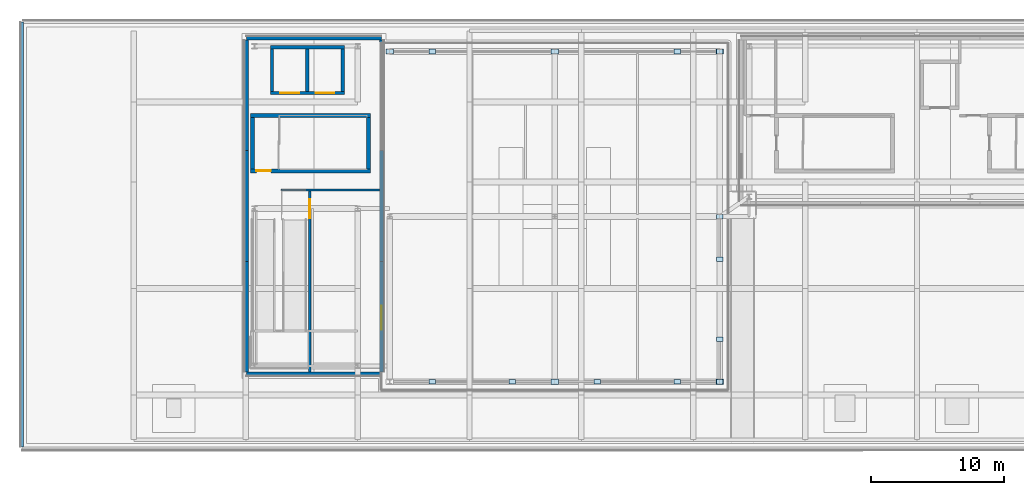
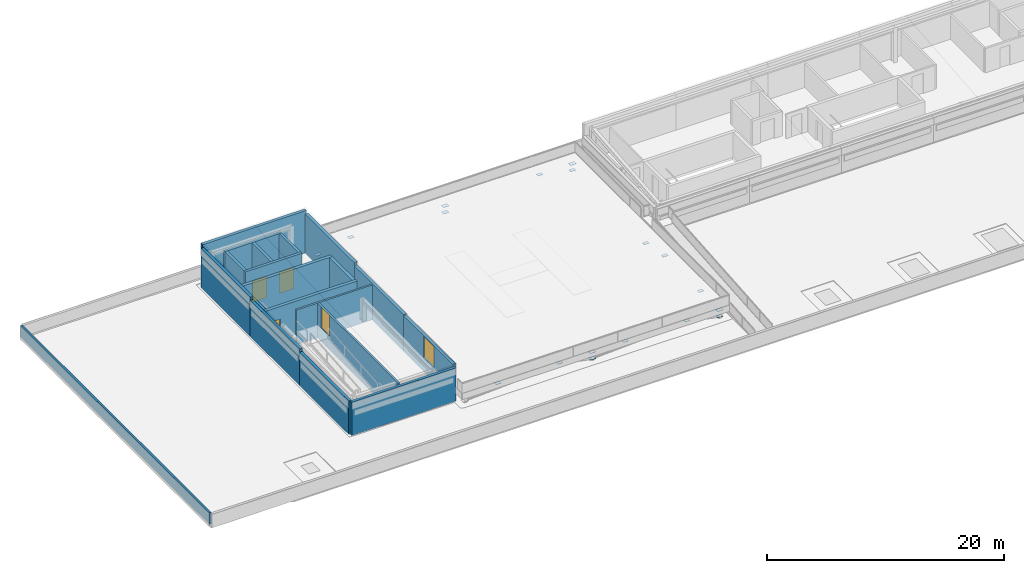
# One storey, part 6 of 14: 20 walls, 18 plates, 5 doors, 5 openings.
"""IFC4 building model written with IfcOpenShell, lengths in metres."""

from ifc_helpers import new_model, si_unit, direction, frame, frame_2d, origin, origin_2d, place, context, subcontext, project, spatial, rectangle, extrude, material, layer, layer_set, type_object, element, fill, save


model = new_model("IFC4")

# Units and contexts
model_context = context("Model", 3, precision=1e-05, world=origin(), true_north=direction((0.0, 1.0)))
body_context = subcontext(model_context, "Body", "Model", "MODEL_VIEW")
ifc_project = project(units=[si_unit("LENGTHUNIT", "METRE"), si_unit("AREAUNIT", "SQUARE_METRE"), si_unit("VOLUMEUNIT", "CUBIC_METRE"), si_unit("PLANEANGLEUNIT", "RADIAN"), si_unit("MASSUNIT", "GRAM", prefix="KILO")], contexts=[model_context])

# Site, building, storey
site_placement = place(None, origin())
site = spatial("IfcSite", under=ifc_project, at=site_placement, CompositionType="ELEMENT")
building_placement = place(site_placement, origin())
building = spatial("IfcBuilding", under=site, at=building_placement, Name="Selatvlak General Hospital", CompositionType="ELEMENT")
storey_placement = place(building_placement, frame((0.0, 0.0, 39.449951171875)))
storey = spatial("IfcBuildingStorey", under=building, at=storey_placement, Name="RF", CompositionType="ELEMENT", Elevation=39.449951171875)

# Plates
ifc_material_1 = material(Name="Steel S355", Category="steel")
ifc_layer_1 = layer(ifc_material_1, 0.02392578125, Name="Steel S355", Category="steel")
ifc_layer_set_1 = layer_set([ifc_layer_1], Name="Steel S355")
plate_type_1 = type_object("IfcPlateType", Name="PLT-GP-02", PredefinedType="USERDEFINED", material=ifc_layer_set_1)
for number, where, z_axis, x_axis, name in (
    (1, (71.199951171875, 93.0, 0.822998046875), (0.0, 0.0, 1.0), (1.0, 0.0, 0.0), "Helipad brace node gusset plate 103"),
    (2, (58.800048828125, 117.800048828125, 0.158203125), (0.0, 0.0, 1.0), (1.0, 0.0, 0.0), "Helipad brace node gusset plate 104"),
    (3, (71.199951171875, 117.800048828125, 0.822998046875), (0.0, 0.0, 1.0), (1.0, 0.0, 0.0), "Helipad brace node gusset plate 105"),
    (4, (71.199951171875, 93.0, 0.158203125), (0.0, 0.0, 1.0), (1.0, 0.0, 0.0), "Helipad brace node gusset plate 106"),
    (5, (83.60009765625, 93.0, 0.822998046875), (0.0, 0.0, 1.0), (1.0, 0.0, 0.0), "Helipad brace node gusset plate 107"),
    (6, (71.199951171875, 117.800048828125, 0.158203125), (0.0, 0.0, 1.0), (1.0, 0.0, 0.0), "Helipad brace node gusset plate 108"),
    (7, (83.60009765625, 117.800048828125, 0.822998046875), (0.0, 0.0, 1.0), (1.0, 0.0, 0.0), "Helipad brace node gusset plate 109"),
):
    element("IfcPlate", number, at=place(storey_placement, frame(where, z_axis=z_axis, x_axis=x_axis)), inside=storey, type_object=plate_type_1, Name=name, ObjectType="GUSSET_PLATE", PredefinedType="USERDEFINED", context=body_context, shape_type="SweptSolid", body=[
        extrude(rectangle(XDim=0.550048828125, YDim=0.39990234375, at=origin_2d()), origin(), (0.0, 0.0, 1.0), 0.02392578125),
    ])
ifc_layer_2 = layer(ifc_material_1, 0.01806640625, Name="Steel S355", Category="steel")
ifc_layer_set_2 = layer_set([ifc_layer_2], Name="Steel S355")
plate_type_2 = type_object("IfcPlateType", Name="PLT-GP-04", PredefinedType="USERDEFINED", material=ifc_layer_set_2)
for number, where, z_axis, x_axis, name in (
    (8, (62.0, 93.0, 0.825927734375), (0.0, 0.0, 1.0), (1.0, 0.0, 0.0), "Helipad strut node gusset plate 110"),
    (9, (68.0, 93.0, 0.825927734375), (0.0, 0.0, 1.0), (1.0, 0.0, 0.0), "Helipad strut node gusset plate 111"),
    (10, (74.39990234375, 93.0, 0.825927734375), (0.0, 0.0, 1.0), (1.0, 0.0, 0.0), "Helipad strut node gusset plate 112"),
    (11, (83.60009765625, 93.0, 0.1611328125), (0.0, 0.0, 1.0), (1.0, 0.0, 0.0), "Helipad strut node gusset plate 113"),
    (12, (80.39990234375, 93.0, 0.825927734375), (0.0, 0.0, 1.0), (1.0, 0.0, 0.0), "Helipad strut node gusset plate 114"),
    (13, (83.60009765625, 105.39990234375, 0.1611328125), (0.0, 0.0, 1.0), (1.0, 0.0, 0.0), "Helipad strut node gusset plate 115"),
    (14, (83.60009765625, 102.199951171875, 0.825927734375), (0.0, 0.0, 1.0), (1.0, 0.0, 0.0), "Helipad strut node gusset plate 116"),
    (15, (83.60009765625, 96.199951171875, 0.825927734375), (0.0, 0.0, 1.0), (1.0, 0.0, 0.0), "Helipad strut node gusset plate 117"),
    (16, (62.0, 117.800048828125, 0.825927734375), (0.0, 0.0, 1.0), (1.0, 0.0, 0.0), "Helipad strut node gusset plate 118"),
    (17, (83.60009765625, 117.800048828125, 0.1611328125), (0.0, 0.0, 1.0), (1.0, 0.0, 0.0), "Helipad strut node gusset plate 119"),
    (18, (80.39990234375, 117.800048828125, 0.825927734375), (0.0, 0.0, 1.0), (1.0, 0.0, 0.0), "Helipad strut node gusset plate 120"),
):
    element("IfcPlate", number, at=place(storey_placement, frame(where, z_axis=z_axis, x_axis=x_axis)), inside=storey, type_object=plate_type_2, Name=name, ObjectType="GUSSET_PLATE", PredefinedType="USERDEFINED", context=body_context, shape_type="SweptSolid", body=[
        extrude(rectangle(XDim=0.5, YDim=0.35009765625, at=origin_2d()), origin(), (0.0, 0.0, 1.0), 0.01806640625),
    ])

# Wall
ifc_material_2 = material(Name="Precast concrete C40/50 - white Bauhaus spandrel", Category="concrete")
ifc_layer_3 = layer(ifc_material_2, 0.280029296875, Name="Precast concrete C40/50 - white Bauhaus spandrel", Category="concrete")
ifc_layer_set_3 = layer_set([ifc_layer_3], Name="Precast concrete C40/50 - white Bauhaus spandrel")
wall_type_1 = type_object("IfcWallType", Name="WALL-EW-02", PredefinedType="SOLIDWALL", material=ifc_layer_set_3)
wall_1_placement = place(storey_placement, frame((48.050048828125, 93.60009765625, 0.0), z_axis=(0.0, 0.0, 1.0), x_axis=(1.0, 0.0, 0.0)))
element("IfcWall", 19, at=wall_1_placement, inside=storey, type_object=wall_type_1, Name="RF penthouse PENT-W wall S1", PredefinedType="SOLIDWALL", context=body_context, shape_type="SweptSolid", body=[
    extrude(rectangle(XDim=10.139892578125, YDim=0.280029296875, at=frame_2d((5.06982421875, 0.0))), origin(), (0.0, 0.0, 1.0), 3.43994140625),
])

# Wall, opening, door
wall_2_placement = place(storey_placement, frame((58.18994140625, 93.741943359375, 0.0), z_axis=(0.0, 0.0, 1.0), x_axis=(0.0, 1.0, 0.0)))
wall_2 = element("IfcWall", 20, at=wall_2_placement, inside=storey, type_object=wall_type_1, Name="RF penthouse PENT-W wall E1", PredefinedType="SOLIDWALL", context=body_context, shape_type="SweptSolid", body=[
    extrude(rectangle(XDim=8.30517578125, YDim=0.280029296875, at=frame_2d((4.152587890625, 0.0))), origin(), (0.0, 0.0, 1.0), 3.670166015625),
])
opening_1_placement = place(wall_2_placement, frame((4.9580078125, 0.0, 1.39990234375), z_axis=(0.0, 0.0, 1.0), x_axis=(-1.0, 0.0, 0.0)))
opening_1 = element("IfcOpeningElement", 21, at=opening_1_placement, cuts=wall_2, Name="Opening DE-04", PredefinedType="OPENING", context=body_context, shape_type="SweptSolid", body=[
    extrude(rectangle(XDim=1.800048828125, YDim=2.199951171875, at=frame_2d((0.89990234375, 1.10009765625))), frame((0.0, 0.14990234375, 0.0), z_axis=(0.0, -1.0, 0.0), x_axis=(1.0, 0.0, 0.0)), (0.0, 0.0, 1.0), 0.300048828125),
])
ifc_material_3 = material(Name="Anodised aluminium terrace double door", Category="aluminium")
door_type_1 = type_object("IfcDoorType", Name="DOOR-DE-04", OperationType="DOUBLE_DOOR_SINGLE_SWING", PredefinedType="DOOR", material=ifc_material_3)
door_1_placement = place(opening_1_placement, origin())
door_1 = element("IfcDoor", 22, at=door_1_placement, inside=storey, type_object=door_type_1, Name="Emergency helipad trauma access west double door", OperationType="DOUBLE_DOOR_SINGLE_SWING", OverallHeight=2.199951171875, OverallWidth=1.800048828125, PredefinedType="DOOR", context=body_context, shape_type="SweptSolid", body=[
    extrude(rectangle(XDim=1.800048828125, YDim=2.199951171875, at=frame_2d((0.89990234375, 1.10009765625))), frame((0.0, 0.02490234375, 0.0), z_axis=(0.0, -1.0, 0.0), x_axis=(1.0, 0.0, 0.0)), (0.0, 0.0, 1.0), 0.050048828125),
])
fill(opening_1, door_1)

# Walls
wall_3_placement = place(storey_placement, frame((58.18994140625, 102.047119140625, 0.0), z_axis=(0.0, 0.0, 1.0), x_axis=(0.0, 1.0, 0.0)))
element("IfcWall", 23, at=wall_3_placement, inside=storey, type_object=wall_type_1, Name="RF penthouse PENT-W wall E2", PredefinedType="SOLIDWALL", context=body_context, shape_type="SweptSolid", body=[
    extrude(rectangle(XDim=8.305908203125, YDim=0.280029296875, at=frame_2d((4.15283203125, 0.0))), origin(), (0.0, 0.0, 1.0), 3.762939453125),
])
wall_4_placement = place(storey_placement, frame((58.18994140625, 110.35302734375, 0.0), z_axis=(0.0, 0.0, 1.0), x_axis=(0.0, 1.0, 0.0)))
element("IfcWall", 24, at=wall_4_placement, inside=storey, type_object=wall_type_1, Name="RF penthouse PENT-W wall E3", PredefinedType="SOLIDWALL", context=body_context, shape_type="SweptSolid", body=[
    extrude(rectangle(XDim=8.304931640625, YDim=0.280029296875, at=frame_2d((4.15234375, 0.0))), origin(), (0.0, 0.0, 1.0), 4.0771484375),
])
wall_5_placement = place(storey_placement, frame((58.18994140625, 118.800048828125, 0.0), z_axis=(0.0, 0.0, 1.0), x_axis=(-1.0, 0.0, 0.0)))
element("IfcWall", 25, at=wall_5_placement, inside=storey, type_object=wall_type_1, Name="RF penthouse PENT-W wall N1", PredefinedType="SOLIDWALL", context=body_context, shape_type="SweptSolid", body=[
    extrude(rectangle(XDim=10.139892578125, YDim=0.280029296875, at=frame_2d((5.06982421875, 0.0))), origin(), (0.0, 0.0, 1.0), 4.39013671875),
])
wall_6_placement = place(storey_placement, frame((48.050048828125, 118.657958984375, 0.0), z_axis=(0.0, 0.0, 1.0), x_axis=(0.0, -1.0, 0.0)))
element("IfcWall", 26, at=wall_6_placement, inside=storey, type_object=wall_type_1, Name="RF penthouse PENT-W wall W1", PredefinedType="SOLIDWALL", context=body_context, shape_type="SweptSolid", body=[
    extrude(rectangle(XDim=8.304931640625, YDim=0.280029296875, at=frame_2d((4.15234375, 0.0))), origin(), (0.0, 0.0, 1.0), 4.0771484375),
])
wall_7_placement = place(storey_placement, frame((48.050048828125, 110.35302734375, 0.0), z_axis=(0.0, 0.0, 1.0), x_axis=(0.0, -1.0, 0.0)))
element("IfcWall", 27, at=wall_7_placement, inside=storey, type_object=wall_type_1, Name="RF penthouse PENT-W wall W2", PredefinedType="SOLIDWALL", context=body_context, shape_type="SweptSolid", body=[
    extrude(rectangle(XDim=8.305908203125, YDim=0.280029296875, at=frame_2d((4.15283203125, 0.0))), origin(), (0.0, 0.0, 1.0), 3.762939453125),
])
wall_8_placement = place(storey_placement, frame((48.050048828125, 102.047119140625, 0.0), z_axis=(0.0, 0.0, 1.0), x_axis=(0.0, -1.0, 0.0)))
element("IfcWall", 28, at=wall_8_placement, inside=storey, type_object=wall_type_1, Name="RF penthouse PENT-W wall W3", PredefinedType="SOLIDWALL", context=body_context, shape_type="SweptSolid", body=[
    extrude(rectangle(XDim=8.30517578125, YDim=0.280029296875, at=frame_2d((4.152587890625, 0.0))), origin(), (0.0, 0.0, 1.0), 3.449951171875),
])
ifc_material_4 = material(Name="Precast concrete C40/50 - white fair-faced", Category="concrete")
ifc_layer_4 = layer(ifc_material_4, 0.199951171875, Name="Precast concrete C40/50 - white fair-faced", Category="concrete")
ifc_layer_set_4 = layer_set([ifc_layer_4], Name="Precast concrete C40/50 - white fair-faced")
wall_type_2 = type_object("IfcWallType", Name="WALL-PR-01", PredefinedType="PARAPET", material=ifc_layer_set_4)
wall_9_placement = place(storey_placement, frame((31.199951171875, 88.117919921875, 0.050048828125), z_axis=(0.0, 0.0, 1.0), x_axis=(0.0, 1.0, 0.0)))
element("IfcWall", 29, at=wall_9_placement, inside=storey, type_object=wall_type_2, Name="RF roof parapet upstand PAR-RF-041", PredefinedType="PARAPET", context=body_context, shape_type="SweptSolid", body=[
    extrude(rectangle(XDim=31.882080078125, YDim=0.199951171875, at=frame_2d((15.94091796875, 0.0))), origin(), (0.0, 0.0, 1.0), 1.14990234375),
])
ifc_material_5 = material(Name="Acoustic gypsum stud partition")
ifc_layer_5 = layer(ifc_material_5, 0.179931640625, Name="Acoustic gypsum stud partition")
ifc_layer_set_5 = layer_set([ifc_layer_5], Name="Acoustic gypsum stud partition")
wall_type_3 = type_object("IfcWallType", Name="WALL-PT-01", PredefinedType="PARTITIONING", material=ifc_layer_set_5)
wall_10_placement = place(storey_placement, frame((50.64990234375, 107.39990234375, 0.050048828125), z_axis=(0.0, 0.0, 1.0), x_axis=(1.0, 0.0, 0.0)))
element("IfcWall", 30, at=wall_10_placement, inside=storey, type_object=wall_type_3, Name="RF trauma platform north closing wall", PredefinedType="PARTITIONING", context=body_context, shape_type="SweptSolid", body=[
    extrude(rectangle(XDim=7.400146484375, YDim=0.179931640625, at=frame_2d((3.7001953125, 0.0))), origin(), (0.0, 0.0, 1.0), 3.580078125),
])

# Wall, opening, door
wall_11_placement = place(storey_placement, frame((52.800048828125, 93.7451171875, 0.050048828125), z_axis=(0.0, 0.0, 1.0), x_axis=(0.0, 1.0, 0.0)))
wall_11 = element("IfcWall", 31, at=wall_11_placement, inside=storey, type_object=wall_type_3, Name="RF trauma staging west partition", PredefinedType="PARTITIONING", context=body_context, shape_type="SweptSolid", body=[
    extrude(rectangle(XDim=13.559814453125, YDim=0.179931640625, at=frame_2d((6.77978515625, 0.0))), origin(), (0.0, 0.0, 1.0), 3.580078125),
])
opening_2_placement = place(wall_11_placement, frame((11.550048828125, 0.0, 1.39990234375)))
opening_2 = element("IfcOpeningElement", 32, at=opening_2_placement, cuts=wall_11, Name="Opening D-11", PredefinedType="OPENING", context=body_context, shape_type="SweptSolid", body=[
    extrude(rectangle(XDim=1.39990234375, YDim=2.14990234375, at=frame_2d((0.699951171875, 1.074951171875))), frame((0.0, 0.099853515625, 0.0), z_axis=(0.0, -1.0, 0.0), x_axis=(1.0, 0.0, 0.0)), (0.0, 0.0, 1.0), 0.199951171875),
])
ifc_material_6 = material(Name="Inpatient suite bed door")
door_type_2 = type_object("IfcDoorType", Name="DOOR-D-11", OperationType="NOTDEFINED", PredefinedType="DOOR", material=ifc_material_6)
door_2_placement = place(opening_2_placement, origin())
door_2 = element("IfcDoor", 33, at=door_2_placement, inside=storey, type_object=door_type_2, Name="RF trauma staging interior level door", OperationType="SINGLE_SWING_RIGHT", OverallHeight=2.14990234375, OverallWidth=1.39990234375, PredefinedType="DOOR", context=body_context, shape_type="SweptSolid", body=[
    extrude(rectangle(XDim=1.39990234375, YDim=2.14990234375, at=frame_2d((0.699951171875, 1.074951171875))), frame((0.0, 0.02490234375, 0.0), z_axis=(0.0, -1.0, 0.0), x_axis=(1.0, 0.0, 0.0)), (0.0, 0.0, 1.0), 0.050048828125),
])
fill(opening_2, door_2)

ifc_material_7 = material(Name="Concrete C45/55", Category="concrete")
ifc_layer_6 = layer(ifc_material_7, 0.300048828125, Name="Concrete C45/55", Category="concrete")
ifc_layer_set_6 = layer_set([ifc_layer_6], Name="Concrete C45/55")
wall_type_4 = type_object("IfcWallType", Name="WALL-SW-02", PredefinedType="SHEAR", material=ifc_layer_set_6)
wall_12_placement = place(storey_placement, frame((48.340087890625, 108.840087890625, 0.0), z_axis=(0.0, 0.0, 1.0), x_axis=(1.0, 0.0, 0.0)))
wall_12 = element("IfcWall", 34, at=wall_12_placement, inside=storey, type_object=wall_type_4, Name="ST-01 core shear wall RF S", PredefinedType="SHEAR", context=body_context, shape_type="SweptSolid", body=[
    extrude(rectangle(XDim=9.02001953125, YDim=0.300048828125, at=frame_2d((4.510009765625, 0.0))), origin(), (0.0, 0.0, 1.0), 3.449951171875),
])
opening_3_placement = place(wall_12_placement, frame((0.449951171875, 0.0, 0.0)))
opening_3 = element("IfcOpeningElement", 35, at=opening_3_placement, cuts=wall_12, Name="Opening D-05", PredefinedType="OPENING", context=body_context, shape_type="SweptSolid", body=[
    extrude(rectangle(XDim=1.10009765625, YDim=2.14990234375, at=frame_2d((0.550048828125, 1.074951171875))), frame((0.0, 0.159912109375, 0.0), z_axis=(0.0, -1.0, 0.0), x_axis=(1.0, 0.0, 0.0)), (0.0, 0.0, 1.0), 0.320068359375),
])
ifc_material_8 = material(Name="Protected stair fire door")
door_type_3 = type_object("IfcDoorType", Name="DOOR-D-05", OperationType="NOTDEFINED", PredefinedType="DOOR", material=ifc_material_8)
door_3_placement = place(opening_3_placement, origin())
door_3 = element("IfcDoor", 36, at=door_3_placement, inside=storey, type_object=door_type_3, Name="ST-01 protected stair door on RF", OperationType="SINGLE_SWING_LEFT", OverallHeight=2.14990234375, OverallWidth=1.10009765625, PredefinedType="DOOR", context=body_context, shape_type="SweptSolid", body=[
    extrude(rectangle(XDim=1.10009765625, YDim=2.14990234375, at=frame_2d((0.550048828125, 1.074951171875))), frame((0.0, 0.02490234375, 0.0), z_axis=(0.0, -1.0, 0.0), x_axis=(1.0, 0.0, 0.0)), (0.0, 0.0, 1.0), 0.050048828125),
])
fill(opening_3, door_3)

# Walls
wall_13_placement = place(storey_placement, frame((57.2099609375, 108.989990234375, 0.0), z_axis=(0.0, 0.0, 1.0), x_axis=(0.0, 1.0, 0.0)))
element("IfcWall", 37, at=wall_13_placement, inside=storey, type_object=wall_type_4, Name="ST-01 core shear wall RF E", PredefinedType="SHEAR", context=body_context, shape_type="SweptSolid", body=[
    extrude(rectangle(XDim=3.860107421875, YDim=0.300048828125, at=frame_2d((1.93017578125, 0.0))), origin(), (0.0, 0.0, 1.0), 3.449951171875),
])
wall_14_placement = place(storey_placement, frame((57.360107421875, 113.0, 0.0), z_axis=(0.0, 0.0, 1.0), x_axis=(-1.0, 0.0, 0.0)))
element("IfcWall", 38, at=wall_14_placement, inside=storey, type_object=wall_type_4, Name="ST-01 core shear wall RF N", PredefinedType="SHEAR", context=body_context, shape_type="SweptSolid", body=[
    extrude(rectangle(XDim=9.02001953125, YDim=0.300048828125, at=frame_2d((4.510009765625, 0.0))), origin(), (0.0, 0.0, 1.0), 3.449951171875),
])
wall_15_placement = place(storey_placement, frame((48.489990234375, 112.85009765625, 0.0), z_axis=(0.0, 0.0, 1.0), x_axis=(0.0, -1.0, 0.0)))
element("IfcWall", 39, at=wall_15_placement, inside=storey, type_object=wall_type_4, Name="ST-01 core shear wall RF W", PredefinedType="SHEAR", context=body_context, shape_type="SweptSolid", body=[
    extrude(rectangle(XDim=3.860107421875, YDim=0.300048828125, at=frame_2d((1.93017578125, 0.0))), origin(), (0.0, 0.0, 1.0), 3.449951171875),
])

# Wall, openings, doors
ifc_material_9 = material(Name="Concrete C40/50", Category="concrete")
ifc_layer_7 = layer(ifc_material_9, 0.25, Name="Concrete C40/50", Category="concrete")
ifc_layer_set_7 = layer_set([ifc_layer_7], Name="Concrete C40/50")
wall_type_5 = type_object("IfcWallType", Name="WALL-SW-03", PredefinedType="SHEAR", material=ifc_layer_set_7)
wall_16_placement = place(storey_placement, frame((49.85009765625, 114.675048828125, 0.0), z_axis=(0.0, 0.0, 1.0), x_axis=(1.0, 0.0, 0.0)))
wall_16 = element("IfcWall", 40, at=wall_16_placement, inside=storey, type_object=wall_type_5, Name="Lift LB-01-LB-02 shaft wall RF S", PredefinedType="SHEAR", context=body_context, shape_type="SweptSolid", body=[
    extrude(rectangle(XDim=5.5498046875, YDim=0.25, at=frame_2d((2.77490234375, 0.0))), origin(), (0.0, 0.0, 1.0), 3.449951171875),
])
opening_4_placement = place(wall_16_placement, frame((0.75, 0.0, 0.0)))
opening_4 = element("IfcOpeningElement", 41, at=opening_4_placement, cuts=wall_16, Name="Opening LD-B1", PredefinedType="OPENING", context=body_context, shape_type="SweptSolid", body=[
    extrude(rectangle(XDim=1.39990234375, YDim=2.199951171875, at=frame_2d((0.699951171875, 1.10009765625))), frame((0.0, 0.135009765625, 0.0), z_axis=(0.0, -1.0, 0.0), x_axis=(1.0, 0.0, 0.0)), (0.0, 0.0, 1.0), 0.27001953125),
])
opening_5_placement = place(wall_16_placement, frame((3.39990234375, 0.0, 0.0)))
opening_5 = element("IfcOpeningElement", 42, at=opening_5_placement, cuts=wall_16, Name="Opening LD-B1", PredefinedType="OPENING", context=body_context, shape_type="SweptSolid", body=[
    extrude(rectangle(XDim=1.39990234375, YDim=2.199951171875, at=frame_2d((0.699951171875, 1.10009765625))), frame((0.0, 0.135009765625, 0.0), z_axis=(0.0, -1.0, 0.0), x_axis=(1.0, 0.0, 0.0)), (0.0, 0.0, 1.0), 0.27001953125),
])
ifc_material_10 = material(Name="Stainless steel stretcher lift landing door", Category="steel")
door_type_4 = type_object("IfcDoorType", Name="DOOR-LD-B1", OperationType="DOUBLE_DOOR_SLIDING", PredefinedType="DOOR", material=ifc_material_10)
door_4_placement = place(opening_4_placement, origin())
door_4 = element("IfcDoor", 43, at=door_4_placement, inside=storey, type_object=door_type_4, Name="Lift LB-01 sliding landing door on RF", OperationType="DOUBLE_DOOR_SLIDING", OverallHeight=2.199951171875, OverallWidth=1.39990234375, PredefinedType="DOOR", context=body_context, shape_type="SweptSolid", body=[
    extrude(rectangle(XDim=1.39990234375, YDim=2.199951171875, at=frame_2d((0.699951171875, 1.10009765625))), frame((0.0, 0.02490234375, 0.0), z_axis=(0.0, -1.0, 0.0), x_axis=(1.0, 0.0, 0.0)), (0.0, 0.0, 1.0), 0.050048828125),
])
fill(opening_4, door_4)
door_5_placement = place(opening_5_placement, origin())
door_5 = element("IfcDoor", 44, at=door_5_placement, inside=storey, type_object=door_type_4, Name="Lift LB-02 sliding landing door on RF", OperationType="DOUBLE_DOOR_SLIDING", OverallHeight=2.199951171875, OverallWidth=1.39990234375, PredefinedType="DOOR", context=body_context, shape_type="SweptSolid", body=[
    extrude(rectangle(XDim=1.39990234375, YDim=2.199951171875, at=frame_2d((0.699951171875, 1.10009765625))), frame((0.0, 0.02490234375, 0.0), z_axis=(0.0, -1.0, 0.0), x_axis=(1.0, 0.0, 0.0)), (0.0, 0.0, 1.0), 0.050048828125),
])
fill(opening_5, door_5)

# Walls
wall_17_placement = place(storey_placement, frame((55.27490234375, 114.800048828125, 0.0), z_axis=(0.0, 0.0, 1.0), x_axis=(0.0, 1.0, 0.0)))
element("IfcWall", 45, at=wall_17_placement, inside=storey, type_object=wall_type_5, Name="Lift LB-01-LB-02 shaft wall RF E", PredefinedType="SHEAR", context=body_context, shape_type="SweptSolid", body=[
    extrude(rectangle(XDim=3.199951171875, YDim=0.25, at=frame_2d((1.60009765625, 0.0))), origin(), (0.0, 0.0, 1.0), 3.449951171875),
])
wall_18_placement = place(storey_placement, frame((55.39990234375, 118.125, 0.0), z_axis=(0.0, 0.0, 1.0), x_axis=(-1.0, 0.0, 0.0)))
element("IfcWall", 46, at=wall_18_placement, inside=storey, type_object=wall_type_5, Name="Lift LB-01-LB-02 shaft wall RF N", PredefinedType="SHEAR", context=body_context, shape_type="SweptSolid", body=[
    extrude(rectangle(XDim=5.5498046875, YDim=0.25, at=frame_2d((2.77490234375, 0.0))), origin(), (0.0, 0.0, 1.0), 3.449951171875),
])
for number, where, z_axis, x_axis, name in (
    (47, (49.97509765625, 118.0, 0.0), (0.0, 0.0, 1.0), (0.0, -1.0, 0.0), "Lift LB-01-LB-02 shaft wall RF W"),
    (48, (52.625, 114.800048828125, 0.0), (0.0, 0.0, 1.0), (0.0, 1.0, 0.0), "Lift LB-01-LB-02 dividing shaft wall RF"),
):
    element("IfcWall", number, at=place(storey_placement, frame(where, z_axis=z_axis, x_axis=x_axis)), inside=storey, type_object=wall_type_5, Name=name, PredefinedType="SHEAR", context=body_context, shape_type="SweptSolid", body=[
        extrude(rectangle(XDim=3.199951171875, YDim=0.25, at=frame_2d((1.60009765625, 0.0))), origin(), (0.0, 0.0, 1.0), 3.449951171875),
    ])

save(model, "model.ifc")
